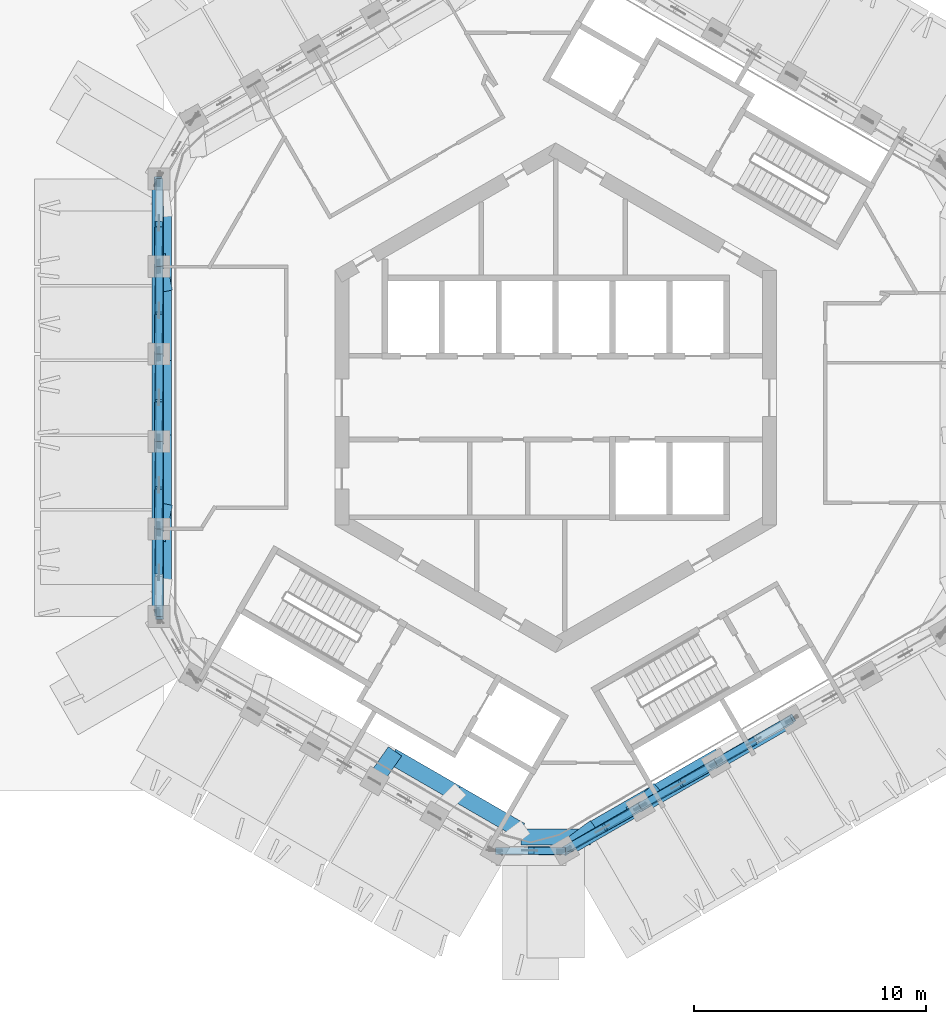
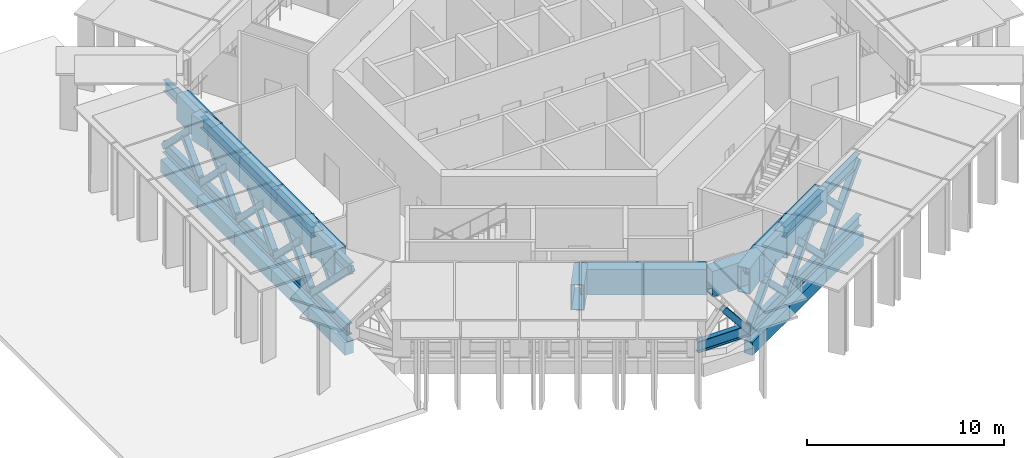
# One storey, part 2 of 15: 39 members, 23 beams.
"""IFC4 building model written with IfcOpenShell, lengths in metres."""

from ifc_helpers import new_model, si_unit, direction, frame, origin, origin_2d, place, context, subcontext, project, spatial, rectangle, hollow_rectangle, i_section, extrude, material, material_profile, profile_set, type_object, element, save


model = new_model("IFC4")

# Units and contexts
model_context = context("Model", 3, precision=1e-05, world=origin(), true_north=direction((0.0, 1.0)))
body_context = subcontext(model_context, "Body", "Model", "MODEL_VIEW")
ifc_project = project(units=[si_unit("LENGTHUNIT", "METRE"), si_unit("AREAUNIT", "SQUARE_METRE"), si_unit("VOLUMEUNIT", "CUBIC_METRE"), si_unit("PLANEANGLEUNIT", "RADIAN"), si_unit("MASSUNIT", "GRAM", prefix="KILO")], contexts=[model_context])

# Site, building, storey
site_placement = place(None, origin())
site = spatial("IfcSite", under=ifc_project, at=site_placement, CompositionType="ELEMENT")
building_placement = place(site_placement, origin())
building = spatial("IfcBuilding", under=site, at=building_placement, Name="Ayvan Gate Tower", CompositionType="ELEMENT")
storey_placement = place(building_placement, frame((0.0, 0.0, 214.10009765625)))
storey = spatial("IfcBuildingStorey", under=building, at=storey_placement, Name="L57", CompositionType="ELEMENT", Elevation=214.10009765625)

# Members
ifc_material_1 = material(Name="Steel S460NH", Category="steel")
ifc_material_profile_1 = material_profile(ifc_material_1, hollow_rectangle(XDim=0.35009765625, YDim=0.35009765625, WallThickness=0.01611328125, InnerFilletRadius=0.01611328125, OuterFilletRadius=0.02392578125, at=origin_2d()), Name="RHS 350x350x16")
ifc_profile_set_1 = profile_set([ifc_material_profile_1], Name="Steel S460NH")
member_type_1 = type_object("IfcMemberType", Name="Belt truss brace BT3 RHS 350x350x16", PredefinedType="BRACE", material=ifc_profile_set_1)
member_1_placement = place(storey_placement, frame((-17.108642578125, 9.39013671875, 0.349853515625), z_axis=(0.012363934884, -0.705482433728, 0.708619551534), x_axis=(0.99984646373, 0.017522812731, 0.0)))
element("IfcMember", 1, at=member_1_placement, inside=storey, type_object=member_type_1, Name="BT3-DA-19", PredefinedType="BRACE", context=body_context, shape_type="SweptSolid", body=[
    extrude(hollow_rectangle(XDim=0.35009765625, YDim=0.35009765625, WallThickness=0.01611328125, InnerFilletRadius=0.01611328125, OuterFilletRadius=0.02392578125, at=origin_2d()), origin(), (0.0, 0.0, 1.0), 5.2919921875),
])
member_2_placement = place(storey_placement, frame((-17.108642578125, 5.634033203125, 0.349853515625), z_axis=(0.012267656341, 0.711146601412, 0.702936708323), x_axis=(-0.999851242793, 0.017247964645, 0.0)))
element("IfcMember", 2, at=member_2_placement, inside=storey, type_object=member_type_1, Name="BT3-DB-19", PredefinedType="BRACE", context=body_context, shape_type="SweptSolid", body=[
    extrude(hollow_rectangle(XDim=0.35009765625, YDim=0.35009765625, WallThickness=0.01611328125, InnerFilletRadius=0.01611328125, OuterFilletRadius=0.02392578125, at=origin_2d()), origin(), (0.0, 0.0, 1.0), 2.587158203125),
])
member_3_placement = place(storey_placement, frame((-17.108642578125, 5.634033203125, 0.349853515625), z_axis=(0.012339010682, -0.70691481347, 0.707191059978), x_axis=(0.999847700914, 0.017452076582, 0.0)))
element("IfcMember", 3, at=member_3_placement, inside=storey, type_object=member_type_1, Name="BT3-DA-20", PredefinedType="BRACE", context=body_context, shape_type="SweptSolid", body=[
    extrude(hollow_rectangle(XDim=0.35009765625, YDim=0.35009765625, WallThickness=0.01611328125, InnerFilletRadius=0.01611328125, OuterFilletRadius=0.02392578125, at=origin_2d()), origin(), (0.0, 0.0, 1.0), 5.302734375),
])
member_4_placement = place(storey_placement, frame((-17.108642578125, 1.8779296875, 0.349853515625), z_axis=(0.012293198347, 0.709790359953, 0.704305702229), x_axis=(-0.999850051579, 0.017316880723, 0.0)))
element("IfcMember", 4, at=member_4_placement, inside=storey, type_object=member_type_1, Name="BT3-DB-20", PredefinedType="BRACE", context=body_context, shape_type="SweptSolid", body=[
    extrude(hollow_rectangle(XDim=0.35009765625, YDim=0.35009765625, WallThickness=0.01611328125, InnerFilletRadius=0.01611328125, OuterFilletRadius=0.02392578125, at=origin_2d()), origin(), (0.0, 0.0, 1.0), 2.581787109375),
])
member_5_placement = place(storey_placement, frame((-17.0751953125, 3.81689453125, 2.27392578125), z_axis=(0.012337432019, 0.709731967122, 0.704363771511), x_axis=(-0.999848945939, 0.017380601369, 0.0)))
element("IfcMember", 5, at=member_5_placement, inside=storey, type_object=member_type_1, Name="BT3-DC-20", PredefinedType="BRACE", context=body_context, shape_type="SweptSolid", body=[
    extrude(hollow_rectangle(XDim=0.35009765625, YDim=0.35009765625, WallThickness=0.01611328125, InnerFilletRadius=0.01611328125, OuterFilletRadius=0.02392578125, at=origin_2d()), origin(), (0.0, 0.0, 1.0), 2.59228515625),
])
member_6_placement = place(storey_placement, frame((-17.108642578125, 1.8779296875, 0.349853515625), z_axis=(0.012314537464, -0.708315652985, 0.705788415819), x_axis=(0.999848903608, 0.017383036404, 0.0)))
element("IfcMember", 6, at=member_6_placement, inside=storey, type_object=member_type_1, Name="BT3-DA-21", PredefinedType="BRACE", context=body_context, shape_type="SweptSolid", body=[
    extrude(hollow_rectangle(XDim=0.35009765625, YDim=0.35009765625, WallThickness=0.01611328125, InnerFilletRadius=0.01611328125, OuterFilletRadius=0.02392578125, at=origin_2d()), origin(), (0.0, 0.0, 1.0), 5.313232421875),
])
member_7_placement = place(storey_placement, frame((-17.108642578125, -1.8779296875, 0.349853515625), z_axis=(0.012319630876, 0.70828400899, 0.705820082815), x_axis=(-0.999848765111, 0.017391000731, 0.0)))
element("IfcMember", 7, at=member_7_placement, inside=storey, type_object=member_type_1, Name="BT3-DB-21", PredefinedType="BRACE", context=body_context, shape_type="SweptSolid", body=[
    extrude(hollow_rectangle(XDim=0.35009765625, YDim=0.35009765625, WallThickness=0.01611328125, InnerFilletRadius=0.01611328125, OuterFilletRadius=0.02392578125, at=origin_2d()), origin(), (0.0, 0.0, 1.0), 2.576171875),
])
member_8_placement = place(storey_placement, frame((-17.0751953125, 0.05322265625, 2.274169921875), z_axis=(0.012363846716, 0.708325722138, 0.705777448387), x_axis=(-0.999847695766, 0.017452371505, 0.0)))
element("IfcMember", 8, at=member_8_placement, inside=storey, type_object=member_type_1, Name="BT3-DC-21", PredefinedType="BRACE", context=body_context, shape_type="SweptSolid", body=[
    extrude(hollow_rectangle(XDim=0.35009765625, YDim=0.35009765625, WallThickness=0.01611328125, InnerFilletRadius=0.01611328125, OuterFilletRadius=0.02392578125, at=origin_2d()), origin(), (0.0, 0.0, 1.0), 2.586669921875),
])
member_9_placement = place(storey_placement, frame((-17.108642578125, -1.8779296875, 0.349853515625), z_axis=(0.012289313148, -0.709753689928, 0.704342723691), x_axis=(0.999850130842, 0.017312303596, 0.0)))
element("IfcMember", 9, at=member_9_placement, inside=storey, type_object=member_type_1, Name="BT3-DA-22", PredefinedType="BRACE", context=body_context, shape_type="SweptSolid", body=[
    extrude(hollow_rectangle(XDim=0.35009765625, YDim=0.35009765625, WallThickness=0.01611328125, InnerFilletRadius=0.01611328125, OuterFilletRadius=0.02392578125, at=origin_2d()), origin(), (0.0, 0.0, 1.0), 5.32421875),
])
member_10_placement = place(storey_placement, frame((-17.108642578125, -5.634033203125, 0.349853515625), z_axis=(0.012344463339, 0.7068629623, 0.707242791941), x_axis=(-0.999847543953, 0.017461066727, 0.0)))
element("IfcMember", 10, at=member_10_placement, inside=storey, type_object=member_type_1, Name="BT3-DB-22", PredefinedType="BRACE", context=body_context, shape_type="SweptSolid", body=[
    extrude(hollow_rectangle(XDim=0.35009765625, YDim=0.35009765625, WallThickness=0.01611328125, InnerFilletRadius=0.01611328125, OuterFilletRadius=0.02392578125, at=origin_2d()), origin(), (0.0, 0.0, 1.0), 2.571044921875),
])
member_11_placement = place(storey_placement, frame((-17.0751953125, -3.710693359375, 2.274169921875), z_axis=(0.012387840006, 0.706957953316, 0.707147080644), x_axis=(-0.999846512146, 0.017520049905, 0.0)))
element("IfcMember", 11, at=member_11_placement, inside=storey, type_object=member_type_1, Name="BT3-DC-22", PredefinedType="BRACE", context=body_context, shape_type="SweptSolid", body=[
    extrude(hollow_rectangle(XDim=0.35009765625, YDim=0.35009765625, WallThickness=0.01611328125, InnerFilletRadius=0.01611328125, OuterFilletRadius=0.02392578125, at=origin_2d()), origin(), (0.0, 0.0, 1.0), 2.581787109375),
])
member_12_placement = place(storey_placement, frame((-17.108642578125, -5.634033203125, 0.349853515625), z_axis=(0.01226454041, -0.71116029092, 0.702922913033), x_axis=(0.999851324057, 0.017243253208, 0.0)))
element("IfcMember", 12, at=member_12_placement, inside=storey, type_object=member_type_1, Name="BT3-DA-23", PredefinedType="BRACE", context=body_context, shape_type="SweptSolid", body=[
    extrude(hollow_rectangle(XDim=0.35009765625, YDim=0.35009765625, WallThickness=0.01611328125, InnerFilletRadius=0.01611328125, OuterFilletRadius=0.02392578125, at=origin_2d()), origin(), (0.0, 0.0, 1.0), 5.3349609375),
])
member_13_placement = place(storey_placement, frame((-17.0751953125, -7.474365234375, 2.274169921875), z_axis=(0.012413539444, 0.705487031764, 0.708614106585), x_axis=(-0.999845231576, 0.017592978554, 0.0)))
element("IfcMember", 13, at=member_13_placement, inside=storey, type_object=member_type_1, Name="BT3-DC-23", PredefinedType="BRACE", context=body_context, shape_type="SweptSolid", body=[
    extrude(hollow_rectangle(XDim=0.35009765625, YDim=0.35009765625, WallThickness=0.01611328125, InnerFilletRadius=0.01611328125, OuterFilletRadius=0.02392578125, at=origin_2d()), origin(), (0.0, 0.0, 1.0), 2.576416015625),
])
member_14_placement = place(storey_placement, frame((0.422119140625, -19.51171875, 0.349853515625), z_axis=(-0.632877830836, 0.007817166883, 0.774212208078), x_axis=(-0.012350836531, -0.99992372551, 0.0)))
element("IfcMember", 14, at=member_14_placement, inside=storey, type_object=member_type_1, Name="BT3-DB-30", PredefinedType="BRACE", context=body_context, shape_type="SweptSolid", body=[
    extrude(hollow_rectangle(XDim=0.35009765625, YDim=0.35009765625, WallThickness=0.01611328125, InnerFilletRadius=0.01611328125, OuterFilletRadius=0.02392578125, at=origin_2d()), origin(), (0.0, 0.0, 1.0), 2.34228515625),
])
member_15_placement = place(storey_placement, frame((0.422119140625, -19.51171875, 0.349853515625), z_axis=(0.604777081951, 0.363447543795, 0.708625827963), x_axis=(-0.515101397919, 0.857129249216, 0.0)))
element("IfcMember", 15, at=member_15_placement, inside=storey, type_object=member_type_1, Name="BT3-DA-31", PredefinedType="BRACE", context=body_context, shape_type="SweptSolid", body=[
    extrude(hollow_rectangle(XDim=0.35009765625, YDim=0.35009765625, WallThickness=0.01611328125, InnerFilletRadius=0.01611328125, OuterFilletRadius=0.02392578125, at=origin_2d()), origin(), (0.0, 0.0, 1.0), 5.2919921875),
])
member_16_placement = place(storey_placement, frame((3.675048828125, -17.633544921875, 0.349853515625), z_axis=(-0.621971779927, -0.345005132364, 0.70293852051), x_axis=(0.485068308433, -0.874476263917, 0.0)))
element("IfcMember", 16, at=member_16_placement, inside=storey, type_object=member_type_1, Name="BT3-DB-31", PredefinedType="BRACE", context=body_context, shape_type="SweptSolid", body=[
    extrude(hollow_rectangle(XDim=0.35009765625, YDim=0.35009765625, WallThickness=0.01611328125, InnerFilletRadius=0.01611328125, OuterFilletRadius=0.02392578125, at=origin_2d()), origin(), (0.0, 0.0, 1.0), 2.587158203125),
])
member_17_placement = place(storey_placement, frame((1.97265625, -18.577880859375, 2.27392578125), z_axis=(-0.622070251062, -0.344915821332, 0.702895211919), x_axis=(0.484913559516, -0.874562084587, 0.0)))
element("IfcMember", 17, at=member_17_placement, inside=storey, type_object=member_type_1, Name="BT3-DC-31", PredefinedType="BRACE", context=body_context, shape_type="SweptSolid", body=[
    extrude(hollow_rectangle(XDim=0.35009765625, YDim=0.35009765625, WallThickness=0.01611328125, InnerFilletRadius=0.01611328125, OuterFilletRadius=0.02392578125, at=origin_2d()), origin(), (0.0, 0.0, 1.0), 2.59765625),
])
member_18_placement = place(storey_placement, frame((3.675048828125, -17.633544921875, 0.349853515625), z_axis=(0.606038983314, 0.364139050295, 0.707191277346), x_axis=(-0.515031934929, 0.857170989945, 0.0)))
element("IfcMember", 18, at=member_18_placement, inside=storey, type_object=member_type_1, Name="BT3-DA-32", PredefinedType="BRACE", context=body_context, shape_type="SweptSolid", body=[
    extrude(hollow_rectangle(XDim=0.35009765625, YDim=0.35009765625, WallThickness=0.01611328125, InnerFilletRadius=0.01611328125, OuterFilletRadius=0.02392578125, at=origin_2d()), origin(), (0.0, 0.0, 1.0), 5.302734375),
])
member_19_placement = place(storey_placement, frame((6.927978515625, -15.755615234375, 0.349853515625), z_axis=(-0.620829031295, -0.344222037154, 0.704331245253), x_axis=(0.484907555914, -0.874565413344, 0.0)))
element("IfcMember", 19, at=member_19_placement, inside=storey, type_object=member_type_1, Name="BT3-DB-32", PredefinedType="BRACE", context=body_context, shape_type="SweptSolid", body=[
    extrude(hollow_rectangle(XDim=0.35009765625, YDim=0.35009765625, WallThickness=0.01611328125, InnerFilletRadius=0.01611328125, OuterFilletRadius=0.02392578125, at=origin_2d()), origin(), (0.0, 0.0, 1.0), 2.581787109375),
])
member_20_placement = place(storey_placement, frame((5.23193359375, -16.69580078125, 2.27392578125), z_axis=(-0.620793132761, -0.34429910397, 0.704325218434), x_axis=(0.485012034793, -0.874507476301, 0.0)))
element("IfcMember", 20, at=member_20_placement, inside=storey, type_object=member_type_1, Name="BT3-DC-32", PredefinedType="BRACE", context=body_context, shape_type="SweptSolid", body=[
    extrude(hollow_rectangle(XDim=0.35009765625, YDim=0.35009765625, WallThickness=0.01611328125, InnerFilletRadius=0.01611328125, OuterFilletRadius=0.02392578125, at=origin_2d()), origin(), (0.0, 0.0, 1.0), 2.592529296875),
])
member_21_placement = place(storey_placement, frame((6.927978515625, -15.755615234375, 0.349853515625), z_axis=(0.607264290459, 0.36483644569, 0.70577932063), x_axis=(-0.514991660736, 0.857195187441, 0.0)))
element("IfcMember", 21, at=member_21_placement, inside=storey, type_object=member_type_1, Name="BT3-DA-33", PredefinedType="BRACE", context=body_context, shape_type="SweptSolid", body=[
    extrude(hollow_rectangle(XDim=0.35009765625, YDim=0.35009765625, WallThickness=0.01611328125, InnerFilletRadius=0.01611328125, OuterFilletRadius=0.02392578125, at=origin_2d()), origin(), (0.0, 0.0, 1.0), 5.313232421875),
])
member_22_placement = place(storey_placement, frame((8.491455078125, -14.81396484375, 2.274169921875), z_axis=(-0.61958972301, -0.343534895926, 0.705756580147), x_axis=(0.484907555914, -0.874565413344, 0.0)))
element("IfcMember", 22, at=member_22_placement, inside=storey, type_object=member_type_1, Name="BT3-DC-33", PredefinedType="BRACE", context=body_context, shape_type="SweptSolid", body=[
    extrude(hollow_rectangle(XDim=0.35009765625, YDim=0.35009765625, WallThickness=0.01611328125, InnerFilletRadius=0.01611328125, OuterFilletRadius=0.02392578125, at=origin_2d()), origin(), (0.0, 0.0, 1.0), 2.5869140625),
])
ifc_material_2 = material(Name="Steel S460ML", Category="steel")
ifc_material_profile_2 = material_profile(ifc_material_2, i_section(OverallWidth=0.300048828125, OverallDepth=0.699951171875, WebThickness=0.01708984375, FlangeThickness=0.031982421875, FilletRadius=0.027099609375, at=origin_2d()), Name="HE 700 B")
ifc_profile_set_2 = profile_set([ifc_material_profile_2], Name="Steel S460ML")
member_type_2 = type_object("IfcMemberType", Name="Belt truss chord BT3 HE 700 B", PredefinedType="CHORD", material=ifc_profile_set_2)
member_23_placement = place(storey_placement, frame((-17.108642578125, 9.39013671875, 0.349853515625), z_axis=(0.0, -1.0, 0.0), x_axis=(1.0, 0.0, 0.0)))
element("IfcMember", 23, at=member_23_placement, inside=storey, type_object=member_type_2, Name="BT3-BC-19", PredefinedType="CHORD", context=body_context, shape_type="SweptSolid", body=[
    extrude(i_section(OverallWidth=0.300048828125, OverallDepth=0.699951171875, WebThickness=0.01708984375, FlangeThickness=0.031982421875, FilletRadius=0.027099609375, at=origin_2d()), origin(), (0.0, 0.0, 1.0), 3.756103515625),
])
member_24_placement = place(storey_placement, frame((-17.043212890625, 9.427978515625, 4.099853515625), z_axis=(0.0, -1.0, 0.0), x_axis=(1.0, 0.0, 0.0)))
element("IfcMember", 24, at=member_24_placement, inside=storey, type_object=member_type_2, Name="BT3-TC-19", PredefinedType="CHORD", context=body_context, shape_type="SweptSolid", body=[
    extrude(i_section(OverallWidth=0.300048828125, OverallDepth=0.699951171875, WebThickness=0.01708984375, FlangeThickness=0.031982421875, FilletRadius=0.027099609375, at=origin_2d()), origin(), (0.0, 0.0, 1.0), 3.771240234375),
])
member_25_placement = place(storey_placement, frame((-17.108642578125, 5.634033203125, 0.349853515625), z_axis=(0.0, -1.0, 0.0), x_axis=(1.0, 0.0, 0.0)))
element("IfcMember", 25, at=member_25_placement, inside=storey, type_object=member_type_2, Name="BT3-BC-20", PredefinedType="CHORD", context=body_context, shape_type="SweptSolid", body=[
    extrude(i_section(OverallWidth=0.300048828125, OverallDepth=0.699951171875, WebThickness=0.01708984375, FlangeThickness=0.031982421875, FilletRadius=0.027099609375, at=origin_2d()), origin(), (0.0, 0.0, 1.0), 3.756103515625),
])
member_26_placement = place(storey_placement, frame((-17.043212890625, 5.65673828125, 4.099853515625), z_axis=(0.0, -1.0, 0.0), x_axis=(1.0, 0.0, 0.0)))
element("IfcMember", 26, at=member_26_placement, inside=storey, type_object=member_type_2, Name="BT3-TC-20", PredefinedType="CHORD", context=body_context, shape_type="SweptSolid", body=[
    extrude(i_section(OverallWidth=0.300048828125, OverallDepth=0.699951171875, WebThickness=0.01708984375, FlangeThickness=0.031982421875, FilletRadius=0.027099609375, at=origin_2d()), origin(), (0.0, 0.0, 1.0), 3.771240234375),
])
member_27_placement = place(storey_placement, frame((-17.108642578125, 1.8779296875, 0.349853515625), z_axis=(0.0, -1.0, 0.0), x_axis=(1.0, 0.0, 0.0)))
element("IfcMember", 27, at=member_27_placement, inside=storey, type_object=member_type_2, Name="BT3-BC-21", PredefinedType="CHORD", context=body_context, shape_type="SweptSolid", body=[
    extrude(i_section(OverallWidth=0.300048828125, OverallDepth=0.699951171875, WebThickness=0.01708984375, FlangeThickness=0.031982421875, FilletRadius=0.027099609375, at=origin_2d()), origin(), (0.0, 0.0, 1.0), 3.755859375),
])
member_28_placement = place(storey_placement, frame((-17.043212890625, 1.885498046875, 4.099853515625), z_axis=(0.0, -1.0, 0.0), x_axis=(1.0, 0.0, 0.0)))
element("IfcMember", 28, at=member_28_placement, inside=storey, type_object=member_type_2, Name="BT3-TC-21", PredefinedType="CHORD", context=body_context, shape_type="SweptSolid", body=[
    extrude(i_section(OverallWidth=0.300048828125, OverallDepth=0.699951171875, WebThickness=0.01708984375, FlangeThickness=0.031982421875, FilletRadius=0.027099609375, at=origin_2d()), origin(), (0.0, 0.0, 1.0), 3.77099609375),
])
member_29_placement = place(storey_placement, frame((-17.108642578125, -1.8779296875, 0.349853515625), z_axis=(0.0, -1.0, 0.0), x_axis=(1.0, 0.0, 0.0)))
element("IfcMember", 29, at=member_29_placement, inside=storey, type_object=member_type_2, Name="BT3-BC-22", PredefinedType="CHORD", context=body_context, shape_type="SweptSolid", body=[
    extrude(i_section(OverallWidth=0.300048828125, OverallDepth=0.699951171875, WebThickness=0.01708984375, FlangeThickness=0.031982421875, FilletRadius=0.027099609375, at=origin_2d()), origin(), (0.0, 0.0, 1.0), 3.756103515625),
])
member_30_placement = place(storey_placement, frame((-17.043212890625, -1.885498046875, 4.099853515625), z_axis=(0.0, -1.0, 0.0), x_axis=(1.0, 0.0, 0.0)))
element("IfcMember", 30, at=member_30_placement, inside=storey, type_object=member_type_2, Name="BT3-TC-22", PredefinedType="CHORD", context=body_context, shape_type="SweptSolid", body=[
    extrude(i_section(OverallWidth=0.300048828125, OverallDepth=0.699951171875, WebThickness=0.01708984375, FlangeThickness=0.031982421875, FilletRadius=0.027099609375, at=origin_2d()), origin(), (0.0, 0.0, 1.0), 3.771240234375),
])
member_31_placement = place(storey_placement, frame((-17.108642578125, -5.634033203125, 0.349853515625), z_axis=(0.0, -1.0, 0.0), x_axis=(1.0, 0.0, 0.0)))
element("IfcMember", 31, at=member_31_placement, inside=storey, type_object=member_type_2, Name="BT3-BC-23", PredefinedType="CHORD", context=body_context, shape_type="SweptSolid", body=[
    extrude(i_section(OverallWidth=0.300048828125, OverallDepth=0.699951171875, WebThickness=0.01708984375, FlangeThickness=0.031982421875, FilletRadius=0.027099609375, at=origin_2d()), origin(), (0.0, 0.0, 1.0), 3.756103515625),
])
member_32_placement = place(storey_placement, frame((-17.043212890625, -5.65673828125, 4.099853515625), z_axis=(0.0, -1.0, 0.0), x_axis=(1.0, 0.0, 0.0)))
element("IfcMember", 32, at=member_32_placement, inside=storey, type_object=member_type_2, Name="BT3-TC-23", PredefinedType="CHORD", context=body_context, shape_type="SweptSolid", body=[
    extrude(i_section(OverallWidth=0.300048828125, OverallDepth=0.699951171875, WebThickness=0.01708984375, FlangeThickness=0.031982421875, FilletRadius=0.027099609375, at=origin_2d()), origin(), (0.0, 0.0, 1.0), 3.771240234375),
])
member_33_placement = place(storey_placement, frame((-2.577880859375, -19.51171875, 0.349853515625), z_axis=(1.0, 0.0, 0.0), x_axis=(0.0, 1.0, 0.0)))
element("IfcMember", 33, at=member_33_placement, inside=storey, type_object=member_type_2, Name="BT3-BC-30", PredefinedType="CHORD", context=body_context, shape_type="SweptSolid", body=[
    extrude(i_section(OverallWidth=0.300048828125, OverallDepth=0.699951171875, WebThickness=0.01708984375, FlangeThickness=0.031982421875, FilletRadius=0.027099609375, at=origin_2d()), origin(), (0.0, 0.0, 1.0), 3.0),
])
member_34_placement = place(storey_placement, frame((0.422119140625, -19.51171875, 0.349853515625), z_axis=(0.866014567632, 0.500018768297, 0.0), x_axis=(-0.500018768297, 0.866014567632, 0.0)))
element("IfcMember", 34, at=member_34_placement, inside=storey, type_object=member_type_2, Name="BT3-BC-31", PredefinedType="CHORD", context=body_context, shape_type="SweptSolid", body=[
    extrude(i_section(OverallWidth=0.300048828125, OverallDepth=0.699951171875, WebThickness=0.01708984375, FlangeThickness=0.031982421875, FilletRadius=0.027099609375, at=origin_2d()), origin(), (0.0, 0.0, 1.0), 3.756103515625),
])
member_35_placement = place(storey_placement, frame((0.356689453125, -19.473876953125, 4.099853515625), z_axis=(0.866031418311, 0.499989582389, 0.0), x_axis=(-0.499989582389, 0.866031418311, 0.0)))
element("IfcMember", 35, at=member_35_placement, inside=storey, type_object=member_type_2, Name="BT3-TC-31", PredefinedType="CHORD", context=body_context, shape_type="SweptSolid", body=[
    extrude(i_section(OverallWidth=0.300048828125, OverallDepth=0.699951171875, WebThickness=0.01708984375, FlangeThickness=0.031982421875, FilletRadius=0.027099609375, at=origin_2d()), origin(), (0.0, 0.0, 1.0), 3.77099609375),
])
member_36_placement = place(storey_placement, frame((3.675048828125, -17.633544921875, 0.349853515625), z_axis=(0.866042712228, 0.499970019698, 0.0), x_axis=(-0.499970019698, 0.866042712228, 0.0)))
element("IfcMember", 36, at=member_36_placement, inside=storey, type_object=member_type_2, Name="BT3-BC-32", PredefinedType="CHORD", context=body_context, shape_type="SweptSolid", body=[
    extrude(i_section(OverallWidth=0.300048828125, OverallDepth=0.699951171875, WebThickness=0.01708984375, FlangeThickness=0.031982421875, FilletRadius=0.027099609375, at=origin_2d()), origin(), (0.0, 0.0, 1.0), 3.756103515625),
])
member_37_placement = place(storey_placement, frame((3.62255859375, -17.58837890625, 4.099853515625), z_axis=(0.866019570528, 0.500010103361, 0.0), x_axis=(-0.500010103361, 0.866019570528, 0.0)))
element("IfcMember", 37, at=member_37_placement, inside=storey, type_object=member_type_2, Name="BT3-TC-32", PredefinedType="CHORD", context=body_context, shape_type="SweptSolid", body=[
    extrude(i_section(OverallWidth=0.300048828125, OverallDepth=0.699951171875, WebThickness=0.01708984375, FlangeThickness=0.031982421875, FilletRadius=0.027099609375, at=origin_2d()), origin(), (0.0, 0.0, 1.0), 3.771484375),
])
member_38_placement = place(storey_placement, frame((6.927978515625, -15.755615234375, 0.349853515625), z_axis=(0.865998315892, 0.500046914671, 0.0), x_axis=(-0.500046914671, 0.865998315892, 0.0)))
element("IfcMember", 38, at=member_38_placement, inside=storey, type_object=member_type_2, Name="BT3-BC-33", PredefinedType="CHORD", context=body_context, shape_type="SweptSolid", body=[
    extrude(i_section(OverallWidth=0.300048828125, OverallDepth=0.699951171875, WebThickness=0.01708984375, FlangeThickness=0.031982421875, FilletRadius=0.027099609375, at=origin_2d()), origin(), (0.0, 0.0, 1.0), 3.756103515625),
])
member_39_placement = place(storey_placement, frame((6.888671875, -15.70263671875, 4.099853515625), z_axis=(0.866031418311, 0.499989582389, 0.0), x_axis=(-0.499989582389, 0.866031418311, 0.0)))
element("IfcMember", 39, at=member_39_placement, inside=storey, type_object=member_type_2, Name="BT3-TC-33", PredefinedType="CHORD", context=body_context, shape_type="SweptSolid", body=[
    extrude(i_section(OverallWidth=0.300048828125, OverallDepth=0.699951171875, WebThickness=0.01708984375, FlangeThickness=0.031982421875, FilletRadius=0.027099609375, at=origin_2d()), origin(), (0.0, 0.0, 1.0), 3.77099609375),
])

# Beams
ifc_material_3 = material(Name="Concrete C40/50", Category="concrete")
ifc_material_profile_3 = material_profile(ifc_material_3, rectangle(XDim=0.5, YDim=0.800048828125, at=origin_2d()), Name="RC 500x800")
ifc_profile_set_3 = profile_set([ifc_material_profile_3], Name="Concrete C40/50")
beam_type_1 = type_object("IfcBeamType", Name="Spandrel beam RC 500x800 C40/50", PredefinedType="BEAM", material=ifc_profile_set_3)
for number, where, z_axis, x_axis, name in (
    (40, (-17.128662109375, 9.378662109375, -0.800048828125), (0.0, -1.0, 0.0), (1.0, 0.0, 0.0), "SB-L57-19"),
    (41, (-17.128662109375, 5.627197265625, -0.800048828125), (0.0, -1.0, 0.0), (1.0, 0.0, 0.0), "SB-L57-20"),
    (42, (-17.128662109375, 1.875732421875, -0.800048828125), (0.0, -1.0, 0.0), (1.0, 0.0, 0.0), "SB-L57-21"),
    (43, (-17.128662109375, -1.875732421875, -0.800048828125), (0.0, -1.0, 0.0), (1.0, 0.0, 0.0), "SB-L57-22"),
    (44, (-17.128662109375, -5.627197265625, -0.800048828125), (0.0, -1.0, 0.0), (1.0, 0.0, 0.0), "SB-L57-23"),
):
    element("IfcBeam", number, at=place(storey_placement, frame(where, z_axis=z_axis, x_axis=x_axis)), inside=storey, type_object=beam_type_1, Name=name, PredefinedType="BEAM", context=body_context, shape_type="SweptSolid", body=[
        extrude(rectangle(XDim=0.5, YDim=0.800048828125, at=origin_2d()), origin(), (0.0, 0.0, 1.0), 3.75146484375),
    ])
beam_1_placement = place(storey_placement, frame((0.442138671875, -19.523193359375, -0.800048828125), z_axis=(0.866036037803, 0.499981580887, 0.0), x_axis=(-0.499981580887, 0.866036037803, 0.0)))
element("IfcBeam", 45, at=beam_1_placement, inside=storey, type_object=beam_type_1, Name="SB-L57-31", PredefinedType="BEAM", context=body_context, shape_type="SweptSolid", body=[
    extrude(rectangle(XDim=0.5, YDim=0.800048828125, at=origin_2d()), origin(), (0.0, 0.0, 1.0), 3.751708984375),
])
for number, where, z_axis, x_axis, name in (
    (46, (3.691162109375, -17.6474609375, -0.800048828125), (0.86601976854, 0.500009760403, 0.0), (-0.500009760403, 0.86601976854, 0.0), "SB-L57-32"),
    (47, (6.93994140625, -15.771728515625, -0.800048828125), (0.86601976854, 0.500009760403, 0.0), (-0.500009760403, 0.86601976854, 0.0), "SB-L57-33"),
):
    element("IfcBeam", number, at=place(storey_placement, frame(where, z_axis=z_axis, x_axis=x_axis)), inside=storey, type_object=beam_type_1, Name=name, PredefinedType="BEAM", context=body_context, shape_type="SweptSolid", body=[
        extrude(rectangle(XDim=0.5, YDim=0.800048828125, at=origin_2d()), origin(), (0.0, 0.0, 1.0), 3.75146484375),
    ])
ifc_material_profile_4 = material_profile(ifc_material_2, hollow_rectangle(XDim=0.699951171875, YDim=1.60009765625, WallThickness=0.044921875, at=origin_2d()), Name="BOX 700x1600x45")
ifc_profile_set_4 = profile_set([ifc_material_profile_4], Name="Steel S460ML")
beam_type_2 = type_object("IfcBeamType", Name="Transfer ring girder BOX 700x1600x45", PredefinedType="BEAM", material=ifc_profile_set_4)
for number, where, z_axis, x_axis, name in (
    (48, (-16.887451171875, 8.01806640625, 3.64990234375), (0.0, -1.0, 0.0), (1.0, 0.0, 0.0), "TR-L57-19"),
    (49, (-16.887451171875, 4.810791015625, 3.64990234375), (0.0, -1.0, 0.0), (1.0, 0.0, 0.0), "TR-L57-20"),
):
    element("IfcBeam", number, at=place(storey_placement, frame(where, z_axis=z_axis, x_axis=x_axis)), inside=storey, type_object=beam_type_2, Name=name, PredefinedType="BEAM", context=body_context, shape_type="SweptSolid", body=[
        extrude(hollow_rectangle(XDim=0.699951171875, YDim=1.60009765625, WallThickness=0.044921875, at=origin_2d()), origin(), (0.0, 0.0, 1.0), 3.207275390625),
    ])
beam_2_placement = place(storey_placement, frame((-16.887451171875, 1.603515625, 3.64990234375), z_axis=(0.0, -1.0, 0.0), x_axis=(1.0, 0.0, 0.0)))
element("IfcBeam", 50, at=beam_2_placement, inside=storey, type_object=beam_type_2, Name="TR-L57-21", PredefinedType="BEAM", context=body_context, shape_type="SweptSolid", body=[
    extrude(hollow_rectangle(XDim=0.699951171875, YDim=1.60009765625, WallThickness=0.044921875, at=origin_2d()), origin(), (0.0, 0.0, 1.0), 3.20703125),
])
for number, where, z_axis, x_axis, name in (
    (51, (-16.887451171875, -1.603515625, 3.64990234375), (0.0, -1.0, 0.0), (1.0, 0.0, 0.0), "TR-L57-22"),
    (52, (-16.887451171875, -4.810791015625, 3.64990234375), (0.0, -1.0, 0.0), (1.0, 0.0, 0.0), "TR-L57-23"),
):
    element("IfcBeam", number, at=place(storey_placement, frame(where, z_axis=z_axis, x_axis=x_axis)), inside=storey, type_object=beam_type_2, Name=name, PredefinedType="BEAM", context=body_context, shape_type="SweptSolid", body=[
        extrude(hollow_rectangle(XDim=0.699951171875, YDim=1.60009765625, WallThickness=0.044921875, at=origin_2d()), origin(), (0.0, 0.0, 1.0), 3.207275390625),
    ])
beam_3_placement = place(storey_placement, frame((-7.054931640625, -15.4267578125, 3.64990234375), z_axis=(0.866023315909, -0.500003616288, 0.0), x_axis=(0.500003616288, 0.866023315909, 0.0)))
element("IfcBeam", 53, at=beam_3_placement, inside=storey, type_object=beam_type_2, Name="TR-L57-28", PredefinedType="BEAM", context=body_context, shape_type="SweptSolid", body=[
    extrude(hollow_rectangle(XDim=0.699951171875, YDim=1.60009765625, WallThickness=0.044921875, at=origin_2d()), origin(), (0.0, 0.0, 1.0), 3.20703125),
])
beam_4_placement = place(storey_placement, frame((-4.277587890625, -17.0302734375, 3.64990234375), z_axis=(0.866009384889, -0.500027744514, 0.0), x_axis=(0.500027744514, 0.866009384889, 0.0)))
element("IfcBeam", 54, at=beam_4_placement, inside=storey, type_object=beam_type_2, Name="TR-L57-29", PredefinedType="BEAM", context=body_context, shape_type="SweptSolid", body=[
    extrude(hollow_rectangle(XDim=0.699951171875, YDim=1.60009765625, WallThickness=0.044921875, at=origin_2d()), origin(), (0.0, 0.0, 1.0), 3.207275390625),
])
beam_5_placement = place(storey_placement, frame((-1.5, -18.904052734375, 3.64990234375), z_axis=(1.0, 0.0, 0.0), x_axis=(0.0, 1.0, 0.0)))
element("IfcBeam", 55, at=beam_5_placement, inside=storey, type_object=beam_type_2, Name="TR-L57-30", PredefinedType="BEAM", context=body_context, shape_type="SweptSolid", body=[
    extrude(hollow_rectangle(XDim=0.699951171875, YDim=1.60009765625, WallThickness=0.044921875, at=origin_2d()), origin(), (0.0, 0.0, 1.0), 3.0),
])
beam_6_placement = place(storey_placement, frame((1.5, -18.634033203125, 3.64990234375), z_axis=(0.866009384889, 0.500027744514, 0.0), x_axis=(-0.500027744514, 0.866009384889, 0.0)))
element("IfcBeam", 56, at=beam_6_placement, inside=storey, type_object=beam_type_2, Name="TR-L57-31", PredefinedType="BEAM", context=body_context, shape_type="SweptSolid", body=[
    extrude(hollow_rectangle(XDim=0.699951171875, YDim=1.60009765625, WallThickness=0.044921875, at=origin_2d()), origin(), (0.0, 0.0, 1.0), 3.207275390625),
])
beam_7_placement = place(storey_placement, frame((4.277587890625, -17.0302734375, 3.64990234375), z_axis=(0.866023315909, 0.500003616288, 0.0), x_axis=(-0.500003616288, 0.866023315909, 0.0)))
element("IfcBeam", 57, at=beam_7_placement, inside=storey, type_object=beam_type_2, Name="TR-L57-32", PredefinedType="BEAM", context=body_context, shape_type="SweptSolid", body=[
    extrude(hollow_rectangle(XDim=0.699951171875, YDim=1.60009765625, WallThickness=0.044921875, at=origin_2d()), origin(), (0.0, 0.0, 1.0), 3.20703125),
])
for number, where, z_axis, x_axis, name in (
    (58, (-17.14453125, 6.135498046875, 3.64990234375), (0.190506012139, -0.981686028901, 0.0), (0.981686028901, 0.190506012139, 0.0), "TS-L57-T3-1"),
    (59, (-17.14453125, -6.135498046875, 3.64990234375), (0.190506012139, 0.981686028901, 0.0), (-0.981686028901, 0.190506012139, 0.0), "TS-L57-T3-4"),
):
    element("IfcBeam", number, at=place(storey_placement, frame(where, z_axis=z_axis, x_axis=x_axis)), inside=storey, type_object=beam_type_2, Name=name, PredefinedType="BEAM", context=body_context, shape_type="SweptSolid", body=[
        extrude(hollow_rectangle(XDim=0.699951171875, YDim=1.60009765625, WallThickness=0.044921875, at=origin_2d()), origin(), (0.0, 0.0, 1.0), 1.599365234375),
    ])
beam_8_placement = place(storey_placement, frame((-8.03076171875, -16.823486328125, 3.64990234375), z_axis=(0.572707288435, 0.819759941552, 0.0), x_axis=(-0.819759941552, 0.572707288435, 0.0)))
element("IfcBeam", 60, at=beam_8_placement, inside=storey, type_object=beam_type_2, Name="TS-L57-T4-3", PredefinedType="BEAM", context=body_context, shape_type="SweptSolid", body=[
    extrude(hollow_rectangle(XDim=0.699951171875, YDim=1.60009765625, WallThickness=0.044921875, at=origin_2d()), origin(), (0.0, 0.0, 1.0), 1.95361328125),
])
beam_9_placement = place(storey_placement, frame((0.043701171875, -19.717041015625, 3.64990234375), z_axis=(0.802447824371, 0.596722288139, 0.0), x_axis=(-0.596722288139, 0.802447824371, 0.0)))
element("IfcBeam", 61, at=beam_9_placement, inside=storey, type_object=beam_type_2, Name="TS-L57-T5-0", PredefinedType="BEAM", context=body_context, shape_type="SweptSolid", body=[
    extrude(hollow_rectangle(XDim=0.699951171875, YDim=1.60009765625, WallThickness=0.044921875, at=origin_2d()), origin(), (0.0, 0.0, 1.0), 2.06494140625),
])
beam_10_placement = place(storey_placement, frame((3.258544921875, -17.915283203125, 3.64990234375), z_axis=(0.755039083596, 0.655679786361, 0.0), x_axis=(-0.655679786361, 0.755039083596, 0.0)))
element("IfcBeam", 62, at=beam_10_placement, inside=storey, type_object=beam_type_2, Name="TS-L57-T5-1", PredefinedType="BEAM", context=body_context, shape_type="SweptSolid", body=[
    extrude(hollow_rectangle(XDim=0.699951171875, YDim=1.60009765625, WallThickness=0.044921875, at=origin_2d()), origin(), (0.0, 0.0, 1.0), 1.599609375),
])

save(model, "model.ifc")
